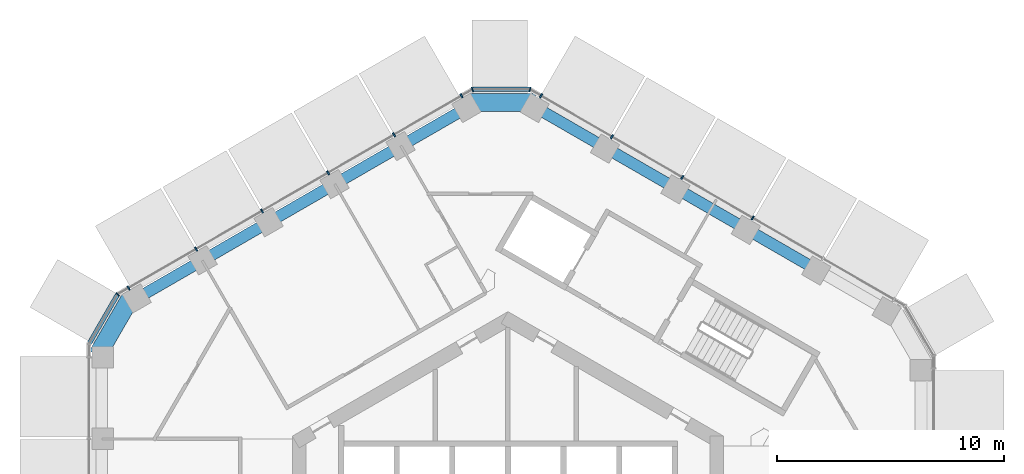
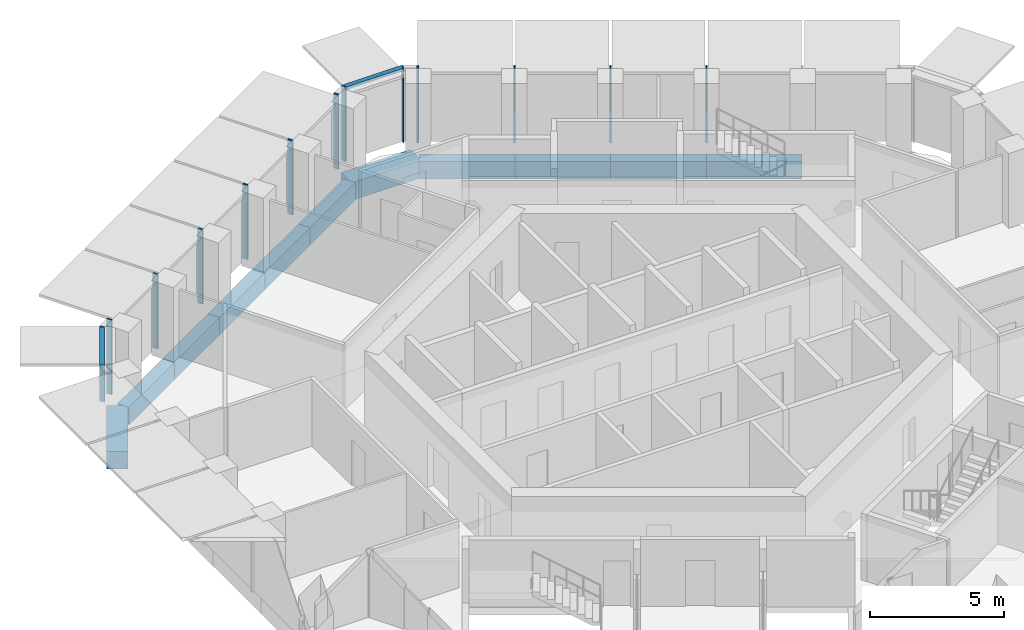
# One storey, part 6 of 18: 15 members, 11 beams, 4 elements without a shape of their own.
"""IFC4 building model written with IfcOpenShell, lengths in metres."""

from ifc_helpers import new_model, si_unit, direction, frame, origin, origin_2d, place, context, subcontext, project, spatial, rectangle, extrude, material, layer, layer_set, material_profile, profile_set, type_object, element, aggregate, save


model = new_model("IFC4")

# Units and contexts
model_context = context("Model", 3, precision=1e-05, world=origin(), true_north=direction((0.0, 1.0)))
body_context = subcontext(model_context, "Body", "Model", "MODEL_VIEW")
ifc_project = project(units=[si_unit("LENGTHUNIT", "METRE"), si_unit("AREAUNIT", "SQUARE_METRE"), si_unit("VOLUMEUNIT", "CUBIC_METRE"), si_unit("PLANEANGLEUNIT", "RADIAN"), si_unit("MASSUNIT", "GRAM", prefix="KILO")], contexts=[model_context])

# Site, building, storey
site_placement = place(None, origin())
site = spatial("IfcSite", under=ifc_project, at=site_placement, CompositionType="ELEMENT")
building_placement = place(site_placement, origin())
building = spatial("IfcBuilding", under=site, at=building_placement, Name="Ayvan Gate Tower", CompositionType="ELEMENT")
storey_placement = place(building_placement, frame((0.0, 0.0, 169.699951171875)))
storey = spatial("IfcBuildingStorey", under=building, at=storey_placement, Name="L45", CompositionType="ELEMENT", Elevation=169.699951171875)

# Beams
ifc_material_1 = material(Name="Concrete C40/50", Category="concrete")
ifc_material_profile_1 = material_profile(ifc_material_1, rectangle(XDim=0.800048828125, YDim=0.800048828125, at=origin_2d()), Name="RC 800x800")
ifc_profile_set_1 = profile_set([ifc_material_profile_1], Name="Concrete C40/50")
beam_type_1 = type_object("IfcBeamType", Name="Corner spandrel beam RC 800x800 C40/50", PredefinedType="BEAM", material=ifc_profile_set_1)
for number, where, z_axis, x_axis, name in (
    (1, (1.21630859375, 20.190185546875, -0.75), (-1.0, 0.0, 0.0), (0.0, -1.0, 0.0), "SB-L45-12"),
    (2, (-16.593505859375, 11.639892578125, -0.75), (-0.499990139034, -0.866031096941, 0.0), (0.866031096941, -0.499990139034, 0.0), "SB-L45-18"),
):
    element("IfcBeam", number, at=place(storey_placement, frame(where, z_axis=z_axis, x_axis=x_axis)), inside=storey, type_object=beam_type_1, Name=name, PredefinedType="BEAM", context=body_context, shape_type="SweptSolid", body=[
        extrude(rectangle(XDim=0.800048828125, YDim=0.800048828125, at=origin_2d()), origin(), (0.0, 0.0, 1.0), 3.0),
    ])
ifc_material_profile_2 = material_profile(ifc_material_1, rectangle(XDim=0.5, YDim=0.800048828125, at=origin_2d()), Name="RC 500x800")
ifc_profile_set_2 = profile_set([ifc_material_profile_2], Name="Concrete C40/50")
beam_type_2 = type_object("IfcBeamType", Name="Spandrel beam RC 500x800 C40/50", PredefinedType="BEAM", material=ifc_profile_set_2)
beam_1_placement = place(storey_placement, frame((13.592529296875, 12.824951171875, -0.75), z_axis=(-0.866047891107, 0.499961048792, 0.0), x_axis=(-0.499961048792, -0.866047891107, 0.0)))
element("IfcBeam", 3, at=beam_1_placement, inside=storey, type_object=beam_type_2, Name="SB-L45-8", PredefinedType="BEAM", context=body_context, shape_type="SweptSolid", body=[
    extrude(rectangle(XDim=0.5, YDim=0.800048828125, at=origin_2d()), origin(), (0.0, 0.0, 1.0), 3.572509765625),
])
beam_2_placement = place(storey_placement, frame((10.49853515625, 14.611083984375, -0.75), z_axis=(-0.866018300902, 0.500012302351, 0.0), x_axis=(-0.500012302351, -0.866018300902, 0.0)))
element("IfcBeam", 4, at=beam_2_placement, inside=storey, type_object=beam_type_2, Name="SB-L45-9", PredefinedType="BEAM", context=body_context, shape_type="SweptSolid", body=[
    extrude(rectangle(XDim=0.5, YDim=0.800048828125, at=origin_2d()), origin(), (0.0, 0.0, 1.0), 3.57275390625),
])
beam_3_placement = place(storey_placement, frame((7.404541015625, 16.3974609375, -0.75), z_axis=(-0.866035384151, 0.4999827131, 0.0), x_axis=(-0.4999827131, -0.866035384151, 0.0)))
element("IfcBeam", 5, at=beam_3_placement, inside=storey, type_object=beam_type_2, Name="SB-L45-10", PredefinedType="BEAM", context=body_context, shape_type="SweptSolid", body=[
    extrude(rectangle(XDim=0.5, YDim=0.800048828125, at=origin_2d()), origin(), (0.0, 0.0, 1.0), 3.572998046875),
])
beam_4_placement = place(storey_placement, frame((4.310302734375, 18.183837890625, -0.75), z_axis=(-0.866018300902, 0.500012302351, 0.0), x_axis=(-0.500012302351, -0.866018300902, 0.0)))
element("IfcBeam", 6, at=beam_4_placement, inside=storey, type_object=beam_type_2, Name="SB-L45-11", PredefinedType="BEAM", context=body_context, shape_type="SweptSolid", body=[
    extrude(rectangle(XDim=0.5, YDim=0.800048828125, at=origin_2d()), origin(), (0.0, 0.0, 1.0), 3.57275390625),
])
for number, where, z_axis, x_axis, name in (
    (7, (-1.78369140625, 19.97021484375, -0.75), (-0.86603626368, -0.499981189637, 0.0), (0.499981189637, -0.86603626368, 0.0), "SB-L45-13"),
    (8, (-4.70751953125, 18.2822265625, -0.75), (-0.866004950882, -0.500035423793, 0.0), (0.500035423793, -0.866004950882, 0.0), "SB-L45-14"),
    (9, (-7.63134765625, 16.593994140625, -0.75), (-0.86603626368, -0.499981189637, 0.0), (0.499981189637, -0.86603626368, 0.0), "SB-L45-15"),
    (10, (-10.55517578125, 14.906005859375, -0.75), (-0.866004950882, -0.500035423793, 0.0), (0.500035423793, -0.866004950882, 0.0), "SB-L45-16"),
    (11, (-13.47900390625, 13.2177734375, -0.75), (-0.86603626368, -0.499981189637, 0.0), (0.499981189637, -0.86603626368, 0.0), "SB-L45-17"),
):
    element("IfcBeam", number, at=place(storey_placement, frame(where, z_axis=z_axis, x_axis=x_axis)), inside=storey, type_object=beam_type_2, Name=name, PredefinedType="BEAM", context=body_context, shape_type="SweptSolid", body=[
        extrude(rectangle(XDim=0.5, YDim=0.800048828125, at=origin_2d()), origin(), (0.0, 0.0, 1.0), 3.376220703125),
    ])

# Curtain wall, members
ifc_material_2 = material(Name="Bronze anodised aluminium", Category="aluminium")
ifc_layer_1 = layer(ifc_material_2, 0.199951171875)
ifc_layer_set_1 = layer_set([ifc_layer_1], Name="Bronze anodised aluminium")
curtain_wall_type_1 = type_object("IfcCurtainWallType", Name="Stick curtain wall CW-2", PredefinedType="NOTDEFINED", material=ifc_layer_set_1)
curtain_wall_1_placement = place(storey_placement, origin())
curtain_wall_1 = element("IfcCurtainWall", 12, at=curtain_wall_1_placement, inside=storey, type_object=curtain_wall_type_1, Name="Stick curtain wall CW-2 L45", PredefinedType="NOTDEFINED")
ifc_material_profile_3 = material_profile(ifc_material_2, rectangle(XDim=0.199951171875, YDim=0.070068359375, at=origin_2d()), Name="Stick curtain wall CW-2 mullion 200 x 70")
ifc_profile_set_3 = profile_set([ifc_material_profile_3], Name="Bronze anodised aluminium")
member_type_1 = type_object("IfcMemberType", Name="Stick curtain wall CW-2 mullion 200 x 70", PredefinedType="MULLION", material=ifc_profile_set_3)
member_1_placement = place(storey_placement, frame((-2.049072265625, 20.48095703125, 0.0), z_axis=(0.0, 0.0, 1.0), x_axis=(-0.5, 0.866025403784, 0.0)))
member_1 = element("IfcMember", 13, at=member_1_placement, type_object=member_type_1, Name="CW-2 mullion 1", PredefinedType="MULLION", context=body_context, shape_type="SweptSolid", body=[
    extrude(rectangle(XDim=0.199951171875, YDim=0.070068359375, at=origin_2d()), origin(), (0.0, 0.0, 1.0), 3.400146484375),
])
member_2_placement = place(storey_placement, frame((-5.020263671875, 18.765380859375, 0.0), z_axis=(0.0, 0.0, 1.0), x_axis=(-0.5, 0.866025403784, 0.0)))
member_2 = element("IfcMember", 14, at=member_2_placement, type_object=member_type_1, Name="CW-2 mullion 2", PredefinedType="MULLION", context=body_context, shape_type="SweptSolid", body=[
    extrude(rectangle(XDim=0.199951171875, YDim=0.070068359375, at=origin_2d()), origin(), (0.0, 0.0, 1.0), 3.400146484375),
])
member_3_placement = place(storey_placement, frame((-7.927490234375, 17.0869140625, 0.0), z_axis=(0.0, 0.0, 1.0), x_axis=(-0.5, 0.866025403784, 0.0)))
member_3 = element("IfcMember", 15, at=member_3_placement, type_object=member_type_1, Name="CW-2 mullion 3", PredefinedType="MULLION", context=body_context, shape_type="SweptSolid", body=[
    extrude(rectangle(XDim=0.199951171875, YDim=0.070068359375, at=origin_2d()), origin(), (0.0, 0.0, 1.0), 3.400146484375),
])
member_4_placement = place(storey_placement, frame((-10.833984375, 15.408935546875, 0.0), z_axis=(0.0, 0.0, 1.0), x_axis=(-0.5, 0.866025403784, 0.0)))
member_4 = element("IfcMember", 16, at=member_4_placement, type_object=member_type_1, Name="CW-2 mullion 4", PredefinedType="MULLION", context=body_context, shape_type="SweptSolid", body=[
    extrude(rectangle(XDim=0.199951171875, YDim=0.070068359375, at=origin_2d()), origin(), (0.0, 0.0, 1.0), 3.400146484375),
])
member_5_placement = place(storey_placement, frame((-13.7412109375, 13.73046875, 0.0), z_axis=(0.0, 0.0, 1.0), x_axis=(-0.5, 0.866025403784, 0.0)))
member_5 = element("IfcMember", 17, at=member_5_placement, type_object=member_type_1, Name="CW-2 mullion 5", PredefinedType="MULLION", context=body_context, shape_type="SweptSolid", body=[
    extrude(rectangle(XDim=0.199951171875, YDim=0.070068359375, at=origin_2d()), origin(), (0.0, 0.0, 1.0), 3.400146484375),
])
member_6_placement = place(storey_placement, frame((-16.712646484375, 12.014892578125, 0.0), z_axis=(0.0, 0.0, 1.0), x_axis=(-0.5, 0.866025403784, 0.0)))
member_6 = element("IfcMember", 18, at=member_6_placement, type_object=member_type_1, Name="CW-2 mullion 6", PredefinedType="MULLION", context=body_context, shape_type="SweptSolid", body=[
    extrude(rectangle(XDim=0.199951171875, YDim=0.070068359375, at=origin_2d()), origin(), (0.0, 0.0, 1.0), 3.400146484375),
])
aggregate(curtain_wall_1, [member_1, member_2, member_3, member_4, member_5, member_6])

curtain_wall_2_placement = place(storey_placement, origin())
curtain_wall_2 = element("IfcCurtainWall", 19, at=curtain_wall_2_placement, inside=storey, type_object=curtain_wall_type_1, Name="Stick curtain wall CW-2 L45", PredefinedType="NOTDEFINED")
member_7_placement = place(storey_placement, frame((10.783447265625, 15.095458984375, 0.0), z_axis=(0.0, 0.0, 1.0), x_axis=(0.5, 0.866025403784, 0.0)))
member_7 = element("IfcMember", 20, at=member_7_placement, type_object=member_type_1, Name="CW-2 mullion 3", PredefinedType="MULLION", context=body_context, shape_type="SweptSolid", body=[
    extrude(rectangle(XDim=0.199951171875, YDim=0.070068359375, at=origin_2d()), origin(), (0.0, 0.0, 1.0), 3.400146484375),
])
member_8_placement = place(storey_placement, frame((7.681396484375, 16.886474609375, 0.0), z_axis=(0.0, 0.0, 1.0), x_axis=(0.5, 0.866025403784, 0.0)))
member_8 = element("IfcMember", 21, at=member_8_placement, type_object=member_type_1, Name="CW-2 mullion 4", PredefinedType="MULLION", context=body_context, shape_type="SweptSolid", body=[
    extrude(rectangle(XDim=0.199951171875, YDim=0.070068359375, at=origin_2d()), origin(), (0.0, 0.0, 1.0), 3.400146484375),
])
member_9_placement = place(storey_placement, frame((4.578369140625, 18.677978515625, 0.0), z_axis=(0.0, 0.0, 1.0), x_axis=(0.5, 0.866025403784, 0.0)))
member_9 = element("IfcMember", 22, at=member_9_placement, type_object=member_type_1, Name="CW-2 mullion 5", PredefinedType="MULLION", context=body_context, shape_type="SweptSolid", body=[
    extrude(rectangle(XDim=0.199951171875, YDim=0.070068359375, at=origin_2d()), origin(), (0.0, 0.0, 1.0), 3.400146484375),
])
member_10_placement = place(storey_placement, frame((1.45556640625, 20.48095703125, 0.0), z_axis=(0.0, 0.0, 1.0), x_axis=(0.5, 0.866025403784, 0.0)))
member_10 = element("IfcMember", 23, at=member_10_placement, type_object=member_type_1, Name="CW-2 mullion 6", PredefinedType="MULLION", context=body_context, shape_type="SweptSolid", body=[
    extrude(rectangle(XDim=0.199951171875, YDim=0.070068359375, at=origin_2d()), origin(), (0.0, 0.0, 1.0), 3.400146484375),
])
aggregate(curtain_wall_2, [member_7, member_8, member_9, member_10])

# Curtain wall, member
ifc_layer_2 = layer(ifc_material_2, 0.199951171875)
ifc_layer_set_2 = layer_set([ifc_layer_2], Name="Bronze anodised aluminium")
curtain_wall_type_2 = type_object("IfcCurtainWallType", Name="Stick curtain wall CW-6", PredefinedType="NOTDEFINED", material=ifc_layer_set_2)
curtain_wall_3_placement = place(storey_placement, origin())
curtain_wall_3 = element("IfcCurtainWall", 24, at=curtain_wall_3_placement, inside=storey, type_object=curtain_wall_type_2, Name="Stick curtain wall CW-6 L45", PredefinedType="NOTDEFINED")
ifc_material_profile_4 = material_profile(ifc_material_2, rectangle(XDim=0.199951171875, YDim=0.050048828125, at=origin_2d()), Name="Stick curtain wall CW-6 mullion 200 x 50")
ifc_profile_set_4 = profile_set([ifc_material_profile_4], Name="Bronze anodised aluminium")
member_type_2 = type_object("IfcMemberType", Name="Stick curtain wall CW-6 mullion 200 x 50", PredefinedType="MULLION", material=ifc_profile_set_4)
member_11_placement = place(storey_placement, frame((-17.197509765625, 11.73486328125, 0.0), z_axis=(0.0, 0.0, 1.0), x_axis=(-0.707106781187, 0.707106781187, 0.0)))
member_11 = element("IfcMember", 25, at=member_11_placement, type_object=member_type_2, Name="CW-6 mullion 2", PredefinedType="MULLION", context=body_context, shape_type="SweptSolid", body=[
    extrude(rectangle(XDim=0.199951171875, YDim=0.050048828125, at=origin_2d()), origin(), (0.0, 0.0, 1.0), 3.400146484375),
])

# Curtain wall, members
curtain_wall_4_placement = place(storey_placement, origin())
curtain_wall_4 = element("IfcCurtainWall", 26, at=curtain_wall_4_placement, inside=storey, type_object=curtain_wall_type_2, Name="Stick curtain wall CW-6 L45", PredefinedType="NOTDEFINED")
member_12_placement = place(storey_placement, frame((0.970458984375, 20.760986328125, 0.0), z_axis=(0.0, 0.0, 1.0), x_axis=(0.258819045103, 0.965925826289, 0.0)))
member_12 = element("IfcMember", 27, at=member_12_placement, type_object=member_type_2, Name="CW-6 mullion 2", PredefinedType="MULLION", context=body_context, shape_type="SweptSolid", body=[
    extrude(rectangle(XDim=0.199951171875, YDim=0.050048828125, at=origin_2d()), origin(), (0.0, 0.0, 1.0), 3.400146484375),
])
member_13_placement = place(storey_placement, frame((-1.56396484375, 20.760986328125, 0.0), z_axis=(0.0, 0.0, 1.0), x_axis=(-0.258819045103, 0.965925826289, 0.0)))
member_13 = element("IfcMember", 28, at=member_13_placement, type_object=member_type_2, Name="CW-6 mullion 3", PredefinedType="MULLION", context=body_context, shape_type="SweptSolid", body=[
    extrude(rectangle(XDim=0.199951171875, YDim=0.050048828125, at=origin_2d()), origin(), (0.0, 0.0, 1.0), 3.400146484375),
])

# Member
ifc_material_profile_5 = material_profile(ifc_material_2, rectangle(XDim=0.199951171875, YDim=0.1201171875, at=origin_2d()), Name="Stick curtain wall CW-6 transom 200 x 120")
ifc_profile_set_5 = profile_set([ifc_material_profile_5], Name="Bronze anodised aluminium")
member_type_3 = type_object("IfcMemberType", Name="Stick curtain wall CW-6 transom 200 x 120", PredefinedType="USERDEFINED", material=ifc_profile_set_5)
member_14_placement = place(storey_placement, frame((-17.2099609375, 11.71337890625, 3.340087890625), z_axis=(-0.50001729717, -0.866015417028, 0.0), x_axis=(0.866015417028, -0.50001729717, 0.0)))
member_14 = element("IfcMember", 29, at=member_14_placement, type_object=member_type_3, Name="CW-6 transom 2", ObjectType="TRANSOM", PredefinedType="USERDEFINED", context=body_context, shape_type="SweptSolid", body=[
    extrude(rectangle(XDim=0.199951171875, YDim=0.1201171875, at=origin_2d()), origin(), (0.0, 0.0, 1.0), 2.48486328125),
])

aggregate(curtain_wall_3, [member_11, member_14])

member_15_placement = place(storey_placement, frame((0.945556640625, 20.760986328125, 3.340087890625), z_axis=(-1.0, 0.0, 0.0), x_axis=(0.0, -1.0, 0.0)))
member_15 = element("IfcMember", 30, at=member_15_placement, type_object=member_type_3, Name="CW-6 transom 2", ObjectType="TRANSOM", PredefinedType="USERDEFINED", context=body_context, shape_type="SweptSolid", body=[
    extrude(rectangle(XDim=0.199951171875, YDim=0.1201171875, at=origin_2d()), origin(), (0.0, 0.0, 1.0), 2.484619140625),
])

aggregate(curtain_wall_4, [member_12, member_13, member_15])

save(model, "model.ifc")
